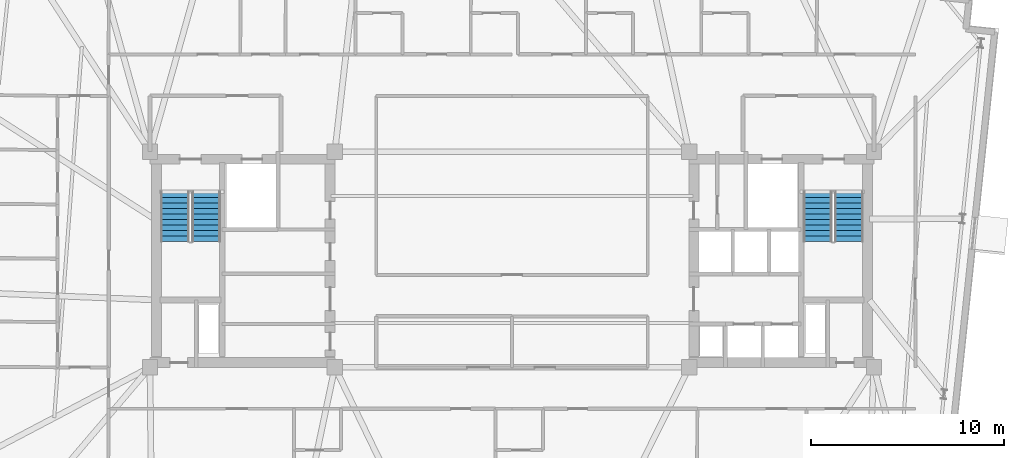
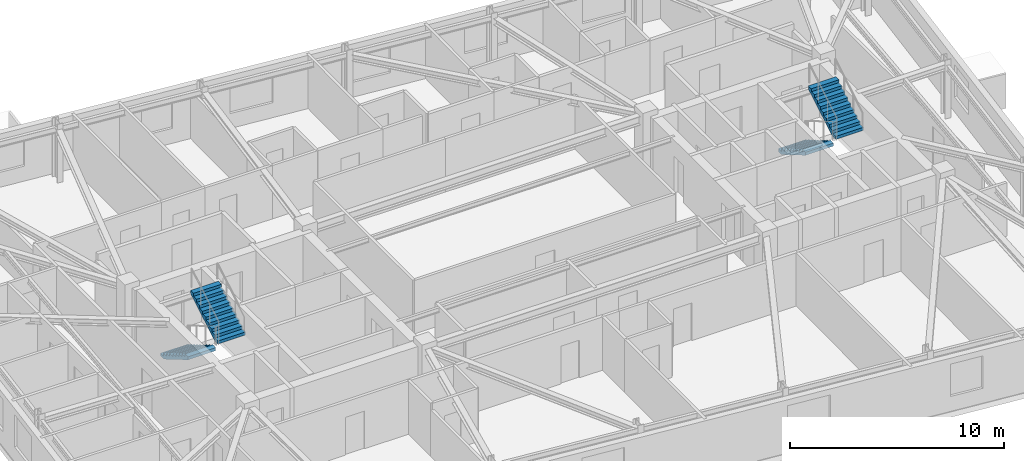
# One storey, part 10 of 12: 4 stair flights, 2 elements without a shape of their own.
"""IFC4 building model written with IfcOpenShell, lengths in metres."""

from ifc_helpers import new_model, si_unit, direction, frame, origin, place, context, subcontext, project, spatial, polyline, outline, extrude, material, type_object, element, aggregate, save


model = new_model("IFC4")

# Units and contexts
model_context = context("Model", 3, precision=1e-05, world=origin(), true_north=direction((0.0, 1.0)))
body_context = subcontext(model_context, "Body", "Model", "MODEL_VIEW")
ifc_project = project(units=[si_unit("LENGTHUNIT", "METRE"), si_unit("AREAUNIT", "SQUARE_METRE"), si_unit("VOLUMEUNIT", "CUBIC_METRE"), si_unit("PLANEANGLEUNIT", "RADIAN"), si_unit("MASSUNIT", "GRAM", prefix="KILO")], contexts=[model_context])

# Site, building, storey
site_placement = place(None, origin())
site = spatial("IfcSite", under=ifc_project, at=site_placement, CompositionType="ELEMENT")
building_placement = place(site_placement, origin())
building = spatial("IfcBuilding", under=site, at=building_placement, Name="Qobustan Lattice House", CompositionType="ELEMENT")
storey_placement = place(building_placement, frame((0.0, 0.0, 183.0)))
storey = spatial("IfcBuildingStorey", under=building, at=storey_placement, Name="L51", CompositionType="ELEMENT", Elevation=183.0)

# Stair, stair flights
ifc_material_1 = material(Name="Concrete C40/50", Category="concrete")
stair_type = type_object("IfcStairType", Name="STR-CORE-DOGLEG", PredefinedType="HALF_TURN_STAIR", material=ifc_material_1)
stair_1_placement = place(storey_placement, origin())
stair_1 = element("IfcStair", 1, at=stair_1_placement, inside=storey, type_object=stair_type, Name="L51 West protected exit stair ST-W1", PredefinedType="HALF_TURN_STAIR")
ifc_material_2 = material(Name="Concrete C40/50", Category="concrete")
stair_flight_type = type_object("IfcStairFlightType", Name="SFL-RC-1500", PredefinedType="STRAIGHT", material=ifc_material_2)
stair_flight_1_placement = place(storey_placement, frame((-17.5, 3.5, 0.0), z_axis=(0.0, 0.0, 1.0), x_axis=(0.0, -1.0, 0.0)))
stair_flight_1 = element("IfcStairFlight", 2, at=stair_flight_1_placement, type_object=stair_flight_type, Name="ST-W1 flight 1", NumberOfRisers=10, NumberOfTreads=9, PredefinedType="STRAIGHT", RiserHeight=0.1675, TreadLength=0.285, context=body_context, shape_type="SweptSolid", body=[
    extrude(outline(polyline([(0.0, 0.0), (0.0, 0.16748046875), (0.284912109375, 0.16748046875), (0.284912109375, 0.3349609375), (0.570068359375, 0.3349609375), (0.570068359375, 0.50244140625), (0.85498046875, 0.50244140625), (0.85498046875, 0.669921875), (1.139892578125, 0.669921875), (1.139892578125, 0.83740234375), (1.425048828125, 0.83740234375), (1.425048828125, 1.0048828125), (1.7099609375, 1.0048828125), (1.7099609375, 1.172607421875), (1.9951171875, 1.172607421875), (1.9951171875, 1.340087890625), (2.280029296875, 1.340087890625), (2.280029296875, 1.507568359375), (2.56494140625, 1.507568359375), (2.56494140625, 1.675048828125), (2.56494140625, 1.333740234375), (0.2958984375, 0.0), (0.0, 0.0)])), frame((0.0, 0.75, 0.0), z_axis=(0.0, -1.0, 0.0), x_axis=(1.0, 0.0, 0.0)), (0.0, 0.0, 1.0), 1.5),
])
stair_flight_2_placement = place(storey_placement, frame((-15.8798828125, 0.93505859375, 1.675048828125), z_axis=(0.0, 0.0, 1.0), x_axis=(0.0, 1.0, 0.0)))
stair_flight_2 = element("IfcStairFlight", 3, at=stair_flight_2_placement, type_object=stair_flight_type, Name="ST-W1 flight 2", NumberOfRisers=10, NumberOfTreads=9, PredefinedType="STRAIGHT", RiserHeight=0.1675, TreadLength=0.285, context=body_context, shape_type="SweptSolid", body=[
    extrude(outline(polyline([(0.0, 0.0), (0.0, 0.16748046875), (0.284912109375, 0.16748046875), (0.284912109375, 0.3349609375), (0.570068359375, 0.3349609375), (0.570068359375, 0.50244140625), (0.85498046875, 0.50244140625), (0.85498046875, 0.669921875), (1.139892578125, 0.669921875), (1.139892578125, 0.83740234375), (1.425048828125, 0.83740234375), (1.425048828125, 1.0048828125), (1.7099609375, 1.0048828125), (1.7099609375, 1.172607421875), (1.9951171875, 1.172607421875), (1.9951171875, 1.340087890625), (2.280029296875, 1.340087890625), (2.280029296875, 1.507568359375), (2.56494140625, 1.507568359375), (2.56494140625, 1.675048828125), (2.56494140625, 1.333740234375), (0.2958984375, 0.0), (0.0, 0.0)])), frame((0.0, 0.75, 0.0), z_axis=(0.0, -1.0, 0.0), x_axis=(1.0, 0.0, 0.0)), (0.0, 0.0, 1.0), 1.5),
])
aggregate(stair_1, [stair_flight_1, stair_flight_2])

stair_2_placement = place(storey_placement, origin())
stair_2 = element("IfcStair", 4, at=stair_2_placement, inside=storey, type_object=stair_type, Name="L51 East protected exit stair ST-E1", PredefinedType="HALF_TURN_STAIR")
stair_flight_3_placement = place(storey_placement, frame((15.8798828125, 3.5, 0.0), z_axis=(0.0, 0.0, 1.0), x_axis=(0.0, -1.0, 0.0)))
stair_flight_3 = element("IfcStairFlight", 5, at=stair_flight_3_placement, type_object=stair_flight_type, Name="ST-E1 flight 1", NumberOfRisers=10, NumberOfTreads=9, PredefinedType="STRAIGHT", RiserHeight=0.1675, TreadLength=0.285, context=body_context, shape_type="SweptSolid", body=[
    extrude(outline(polyline([(0.0, 0.0), (0.0, 0.16748046875), (0.284912109375, 0.16748046875), (0.284912109375, 0.3349609375), (0.570068359375, 0.3349609375), (0.570068359375, 0.50244140625), (0.85498046875, 0.50244140625), (0.85498046875, 0.669921875), (1.139892578125, 0.669921875), (1.139892578125, 0.83740234375), (1.425048828125, 0.83740234375), (1.425048828125, 1.0048828125), (1.7099609375, 1.0048828125), (1.7099609375, 1.172607421875), (1.9951171875, 1.172607421875), (1.9951171875, 1.340087890625), (2.280029296875, 1.340087890625), (2.280029296875, 1.507568359375), (2.56494140625, 1.507568359375), (2.56494140625, 1.675048828125), (2.56494140625, 1.333740234375), (0.2958984375, 0.0), (0.0, 0.0)])), frame((0.0, 0.75, 0.0), z_axis=(0.0, -1.0, 0.0), x_axis=(1.0, 0.0, 0.0)), (0.0, 0.0, 1.0), 1.5),
])
stair_flight_4_placement = place(storey_placement, frame((17.5, 0.93505859375, 1.675048828125), z_axis=(0.0, 0.0, 1.0), x_axis=(0.0, 1.0, 0.0)))
stair_flight_4 = element("IfcStairFlight", 6, at=stair_flight_4_placement, type_object=stair_flight_type, Name="ST-E1 flight 2", NumberOfRisers=10, NumberOfTreads=9, PredefinedType="STRAIGHT", RiserHeight=0.1675, TreadLength=0.285, context=body_context, shape_type="SweptSolid", body=[
    extrude(outline(polyline([(0.0, 0.0), (0.0, 0.16748046875), (0.284912109375, 0.16748046875), (0.284912109375, 0.3349609375), (0.570068359375, 0.3349609375), (0.570068359375, 0.50244140625), (0.85498046875, 0.50244140625), (0.85498046875, 0.669921875), (1.139892578125, 0.669921875), (1.139892578125, 0.83740234375), (1.425048828125, 0.83740234375), (1.425048828125, 1.0048828125), (1.7099609375, 1.0048828125), (1.7099609375, 1.172607421875), (1.9951171875, 1.172607421875), (1.9951171875, 1.340087890625), (2.280029296875, 1.340087890625), (2.280029296875, 1.507568359375), (2.56494140625, 1.507568359375), (2.56494140625, 1.675048828125), (2.56494140625, 1.333740234375), (0.2958984375, 0.0), (0.0, 0.0)])), frame((0.0, 0.75, 0.0), z_axis=(0.0, -1.0, 0.0), x_axis=(1.0, 0.0, 0.0)), (0.0, 0.0, 1.0), 1.5),
])
aggregate(stair_2, [stair_flight_3, stair_flight_4])

save(model, "model.ifc")
